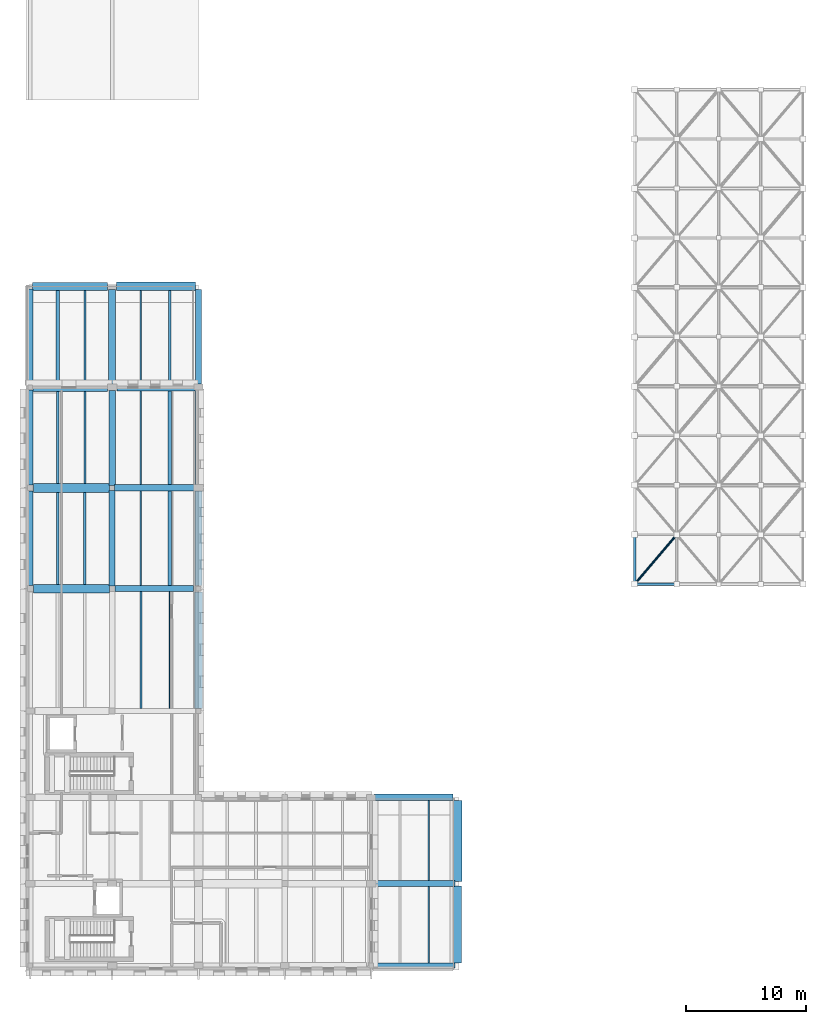
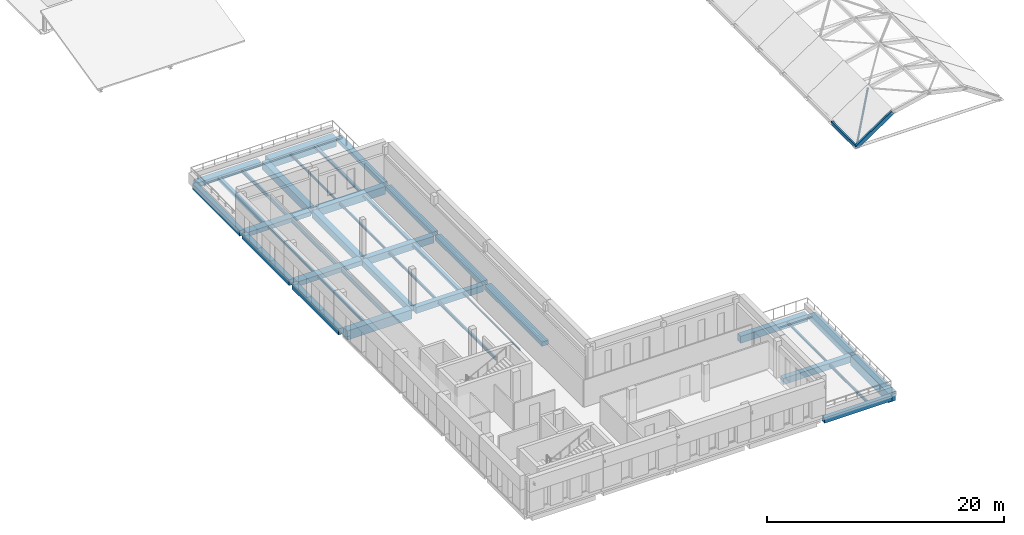
# One storey, part 5 of 15: 39 beams, 3 members.
"""IFC4 building model written with IfcOpenShell, lengths in metres."""

from ifc_helpers import new_model, si_unit, direction, frame, origin, origin_2d, place, context, subcontext, project, spatial, rectangle, hollow_rectangle, hollow_circle, i_section, extrude, material, material_profile, profile_set, type_object, element, save


model = new_model("IFC4")

# Units and contexts
model_context = context("Model", 3, precision=1e-05, world=origin(), true_north=direction((0.0, 1.0)))
body_context = subcontext(model_context, "Body", "Model", "MODEL_VIEW")
ifc_project = project(units=[si_unit("LENGTHUNIT", "METRE"), si_unit("AREAUNIT", "SQUARE_METRE"), si_unit("VOLUMEUNIT", "CUBIC_METRE"), si_unit("PLANEANGLEUNIT", "RADIAN"), si_unit("MASSUNIT", "GRAM", prefix="KILO")], contexts=[model_context])

# Site, building, storey
site_placement = place(None, origin())
site = spatial("IfcSite", under=ifc_project, at=site_placement, CompositionType="ELEMENT")
building_placement = place(site_placement, origin())
building = spatial("IfcBuilding", under=site, at=building_placement, Name="Vardoun Plaza Health Centre", CompositionType="ELEMENT")
storey_placement = place(building_placement, frame((0.0, 0.0, 17.10009765625)))
storey = spatial("IfcBuildingStorey", under=building, at=storey_placement, Name="L04", CompositionType="ELEMENT", Elevation=17.10009765625)

# Beams
ifc_material_1 = material(Name="Concrete C35/45", Category="concrete")
ifc_material_profile_1 = material_profile(ifc_material_1, rectangle(XDim=0.39990234375, YDim=0.550048828125, at=origin_2d()), Name="RC-BM 400x550")
ifc_profile_set_1 = profile_set([ifc_material_profile_1], Name="Concrete C35/45")
beam_type_1 = type_object("IfcBeamType", Name="B-09", PredefinedType="SPANDREL", material=ifc_profile_set_1)
beam_1_placement = place(storey_placement, frame((33.675048828125, 4.8798828125, -0.55517578125), z_axis=(1.0, 0.0, 0.0), x_axis=(0.0, 1.0, 0.0)))
element("IfcBeam", 1, at=beam_1_placement, inside=storey, type_object=beam_type_1, Name="V2 L04 Beam B-V2-L04-X23", PredefinedType="SPANDREL", context=body_context, shape_type="SweptSolid", body=[
    extrude(rectangle(XDim=0.39990234375, YDim=0.550048828125, at=origin_2d()), origin(), (0.0, 0.0, 1.0), 6.60009765625),
])
ifc_material_2 = material(Name="Concrete C35/45", Category="concrete")
ifc_material_profile_2 = material_profile(ifc_material_2, rectangle(XDim=0.419921875, YDim=0.580078125, at=origin_2d()), Name="RC-BM 420x580")
ifc_profile_set_2 = profile_set([ifc_material_profile_2], Name="Concrete C35/45")
beam_type_2 = type_object("IfcBeamType", Name="B-10", PredefinedType="SPANDREL", material=ifc_profile_set_2)
beam_2_placement = place(storey_placement, frame((4.8798828125, 53.324951171875, -0.570068359375), z_axis=(0.0, 1.0, 0.0), x_axis=(-1.0, 0.0, 0.0)))
element("IfcBeam", 2, at=beam_2_placement, inside=storey, type_object=beam_type_2, Name="V2 L04 Beam B-V2-L04-Y32", PredefinedType="SPANDREL", context=body_context, shape_type="SweptSolid", body=[
    extrude(rectangle(XDim=0.419921875, YDim=0.580078125, at=origin_2d()), origin(), (0.0, 0.0, 1.0), 7.97509765625),
])
ifc_material_3 = material(Name="Concrete C35/45", Category="concrete")
ifc_material_profile_3 = material_profile(ifc_material_3, rectangle(XDim=0.449951171875, YDim=0.60009765625, at=origin_2d()), Name="RC-BM 450x600")
ifc_profile_set_3 = profile_set([ifc_material_profile_3], Name="Concrete C35/45")
beam_type_3 = type_object("IfcBeamType", Name="B-11", PredefinedType="SPANDREL", material=ifc_profile_set_3)
beam_3_placement = place(storey_placement, frame((4.8798828125, 44.949951171875, -0.580078125), z_axis=(0.0, 1.0, 0.0), x_axis=(-1.0, 0.0, 0.0)))
element("IfcBeam", 3, at=beam_3_placement, inside=storey, type_object=beam_type_3, Name="V2 L04 Beam B-V2-L04-Y31", PredefinedType="SPANDREL", context=body_context, shape_type="SweptSolid", body=[
    extrude(rectangle(XDim=0.449951171875, YDim=0.60009765625, at=origin_2d()), origin(), (0.0, 0.0, 1.0), 7.925048828125),
])
ifc_material_4 = material(Name="Concrete C35/45", Category="concrete")
ifc_material_profile_4 = material_profile(ifc_material_4, rectangle(XDim=0.47998046875, YDim=0.6201171875, at=origin_2d()), Name="RC-BM 480x620")
ifc_profile_set_4 = profile_set([ifc_material_profile_4], Name="Concrete C35/45")
beam_type_4 = type_object("IfcBeamType", Name="B-12", PredefinedType="SPANDREL", material=ifc_profile_set_4)
beam_4_placement = place(storey_placement, frame((4.8798828125, 36.574951171875, -0.590087890625), z_axis=(0.0, 1.0, 0.0), x_axis=(-1.0, 0.0, 0.0)))
element("IfcBeam", 4, at=beam_4_placement, inside=storey, type_object=beam_type_4, Name="V2 L04 Beam B-V2-L04-Y30", PredefinedType="SPANDREL", context=body_context, shape_type="SweptSolid", body=[
    extrude(rectangle(XDim=0.47998046875, YDim=0.6201171875, at=origin_2d()), origin(), (0.0, 0.0, 1.0), 7.875),
])
ifc_material_5 = material(Name="Concrete C35/45", Category="concrete")
ifc_material_profile_5 = material_profile(ifc_material_5, rectangle(XDim=0.5, YDim=0.39990234375, at=origin_2d()), Name="RC-BM 500x400")
ifc_profile_set_5 = profile_set([ifc_material_profile_5], Name="Concrete C35/45")
beam_type_5 = type_object("IfcBeamType", Name="B-02", PredefinedType="BEAM", material=ifc_profile_set_5)
beam_5_placement = place(storey_placement, frame((18.89990234375, 53.375, -0.47998046875), z_axis=(0.0, 1.0, 0.0), x_axis=(-1.0, 0.0, 0.0)))
element("IfcBeam", 5, at=beam_5_placement, inside=storey, type_object=beam_type_5, Name="V2 L04 Beam B-V2-L04-Y44", PredefinedType="BEAM", context=body_context, shape_type="SweptSolid", body=[
    extrude(rectangle(XDim=0.5, YDim=0.39990234375, at=origin_2d()), origin(), (0.0, 0.0, 1.0), 7.875),
])
ifc_material_6 = material(Name="Concrete C40/50", Category="concrete")
ifc_material_profile_6 = material_profile(ifc_material_6, rectangle(XDim=0.5, YDim=0.64990234375, at=origin_2d()), Name="RC-BM 500x650")
ifc_profile_set_6 = profile_set([ifc_material_profile_6], Name="Concrete C40/50")
beam_type_6 = type_object("IfcBeamType", Name="B-13", PredefinedType="BEAM", material=ifc_profile_set_6)
beam_6_placement = place(storey_placement, frame((11.925048828125, 36.300048828125, -0.60498046875), z_axis=(1.0, 0.0, 0.0), x_axis=(0.0, 1.0, 0.0)))
element("IfcBeam", 6, at=beam_6_placement, inside=storey, type_object=beam_type_6, Name="V2 L04 Beam B-V2-L04-X13", PredefinedType="BEAM", context=body_context, shape_type="SweptSolid", body=[
    extrude(rectangle(XDim=0.5, YDim=0.64990234375, at=origin_2d()), origin(), (0.0, 0.0, 1.0), 6.574951171875),
])
beam_7_placement = place(storey_placement, frame((33.574951171875, 11.699951171875, -0.60498046875), z_axis=(1.0, 0.0, 0.0), x_axis=(0.0, 1.0, 0.0)))
element("IfcBeam", 7, at=beam_7_placement, inside=storey, type_object=beam_type_6, Name="V2 L04 Beam B-V2-L04-X24", PredefinedType="BEAM", context=body_context, shape_type="SweptSolid", body=[
    extrude(rectangle(XDim=0.5, YDim=0.64990234375, at=origin_2d()), origin(), (0.0, 0.0, 1.0), 6.72509765625),
])
beam_8_placement = place(storey_placement, frame((11.699951171875, 36.525146484375, -0.60498046875), z_axis=(0.0, 1.0, 0.0), x_axis=(-1.0, 0.0, 0.0)))
element("IfcBeam", 8, at=beam_8_placement, inside=storey, type_object=beam_type_6, Name="V2 L04 Beam B-V2-L04-Y35", PredefinedType="BEAM", context=body_context, shape_type="SweptSolid", body=[
    extrude(rectangle(XDim=0.5, YDim=0.64990234375, at=origin_2d()), origin(), (0.0, 0.0, 1.0), 7.974853515625),
])
ifc_material_7 = material(Name="Concrete C35/45", Category="concrete")
ifc_material_profile_7 = material_profile(ifc_material_7, rectangle(XDim=0.550048828125, YDim=0.419921875, at=origin_2d()), Name="RC-BM 550x420")
ifc_profile_set_7 = profile_set([ifc_material_profile_7], Name="Concrete C35/45")
beam_type_7 = type_object("IfcBeamType", Name="B-03", PredefinedType="BEAM", material=ifc_profile_set_7)
beam_9_placement = place(storey_placement, frame((18.89990234375, 44.949951171875, -0.489990234375), z_axis=(0.0, 1.0, 0.0), x_axis=(-1.0, 0.0, 0.0)))
element("IfcBeam", 9, at=beam_9_placement, inside=storey, type_object=beam_type_7, Name="V2 L04 Beam B-V2-L04-Y43", PredefinedType="BEAM", context=body_context, shape_type="SweptSolid", body=[
    extrude(rectangle(XDim=0.550048828125, YDim=0.419921875, at=origin_2d()), origin(), (0.0, 0.0, 1.0), 7.875),
])
ifc_material_8 = material(Name="Concrete C40/50", Category="concrete")
ifc_material_profile_8 = material_profile(ifc_material_8, rectangle(XDim=0.550048828125, YDim=0.719970703125, at=origin_2d()), Name="RC-BM 550x720")
ifc_profile_set_8 = profile_set([ifc_material_profile_8], Name="Concrete C40/50")
beam_type_8 = type_object("IfcBeamType", Name="B-14", PredefinedType="BEAM", material=ifc_profile_set_8)
beam_10_placement = place(storey_placement, frame((11.89990234375, 44.699951171875, -0.64013671875), z_axis=(1.0, 0.0, 0.0), x_axis=(0.0, 1.0, 0.0)))
element("IfcBeam", 10, at=beam_10_placement, inside=storey, type_object=beam_type_8, Name="V2 L04 Beam B-V2-L04-X14", PredefinedType="BEAM", context=body_context, shape_type="SweptSolid", body=[
    extrude(rectangle(XDim=0.550048828125, YDim=0.719970703125, at=origin_2d()), origin(), (0.0, 0.0, 1.0), 6.625),
])
beam_11_placement = place(storey_placement, frame((33.550048828125, 18.89990234375, -0.64013671875), z_axis=(1.0, 0.0, 0.0), x_axis=(0.0, 1.0, 0.0)))
element("IfcBeam", 11, at=beam_11_placement, inside=storey, type_object=beam_type_8, Name="V2 L04 Beam B-V2-L04-X25", PredefinedType="BEAM", context=body_context, shape_type="SweptSolid", body=[
    extrude(rectangle(XDim=0.550048828125, YDim=0.719970703125, at=origin_2d()), origin(), (0.0, 0.0, 1.0), 6.550048828125),
])
beam_12_placement = place(storey_placement, frame((11.699951171875, 44.900146484375, -0.64013671875), z_axis=(0.0, 1.0, 0.0), x_axis=(-1.0, 0.0, 0.0)))
element("IfcBeam", 12, at=beam_12_placement, inside=storey, type_object=beam_type_8, Name="V2 L04 Beam B-V2-L04-Y36", PredefinedType="BEAM", context=body_context, shape_type="SweptSolid", body=[
    extrude(rectangle(XDim=0.550048828125, YDim=0.719970703125, at=origin_2d()), origin(), (0.0, 0.0, 1.0), 7.9248046875),
])
ifc_material_9 = material(Name="Concrete C35/45", Category="concrete")
ifc_material_profile_9 = material_profile(ifc_material_9, rectangle(XDim=0.60009765625, YDim=0.449951171875, at=origin_2d()), Name="RC-BM 600x450")
ifc_profile_set_9 = profile_set([ifc_material_profile_9], Name="Concrete C35/45")
beam_type_9 = type_object("IfcBeamType", Name="B-04", PredefinedType="BEAM", material=ifc_profile_set_9)
beam_13_placement = place(storey_placement, frame((18.89990234375, 36.574951171875, -0.505126953125), z_axis=(0.0, 1.0, 0.0), x_axis=(-1.0, 0.0, 0.0)))
element("IfcBeam", 13, at=beam_13_placement, inside=storey, type_object=beam_type_9, Name="V2 L04 Beam B-V2-L04-Y42", PredefinedType="BEAM", context=body_context, shape_type="SweptSolid", body=[
    extrude(rectangle(XDim=0.60009765625, YDim=0.449951171875, at=origin_2d()), origin(), (0.0, 0.0, 1.0), 7.875),
])
ifc_material_10 = material(Name="Concrete C40/50", Category="concrete")
ifc_material_profile_10 = material_profile(ifc_material_10, rectangle(XDim=0.60009765625, YDim=0.800048828125, at=origin_2d()), Name="RC-BM 600x800")
ifc_profile_set_10 = profile_set([ifc_material_profile_10], Name="Concrete C40/50")
beam_type_10 = type_object("IfcBeamType", Name="B-15", PredefinedType="JOIST", material=ifc_profile_set_10)
beam_14_placement = place(storey_placement, frame((12.10009765625, 53.10009765625, -0.68017578125), z_axis=(1.0, 0.0, 0.0), x_axis=(0.0, 1.0, 0.0)))
element("IfcBeam", 14, at=beam_14_placement, inside=storey, type_object=beam_type_10, Name="V2 L04 Beam B-V2-L04-X15", PredefinedType="JOIST", context=body_context, shape_type="SweptSolid", body=[
    extrude(rectangle(XDim=0.60009765625, YDim=0.800048828125, at=origin_2d()), origin(), (0.0, 0.0, 1.0), 6.52490234375),
])
beam_15_placement = place(storey_placement, frame((11.699951171875, 53.375, -0.68017578125), z_axis=(0.0, 1.0, 0.0), x_axis=(-1.0, 0.0, 0.0)))
element("IfcBeam", 15, at=beam_15_placement, inside=storey, type_object=beam_type_10, Name="V2 L04 Beam B-V2-L04-Y37", PredefinedType="JOIST", context=body_context, shape_type="SweptSolid", body=[
    extrude(rectangle(XDim=0.60009765625, YDim=0.800048828125, at=origin_2d()), origin(), (0.0, 0.0, 1.0), 7.875),
])
ifc_material_11 = material(Name="Concrete C35/45", Category="concrete")
ifc_material_profile_11 = material_profile(ifc_material_11, rectangle(XDim=0.64990234375, YDim=0.449951171875, at=origin_2d()), Name="RC-BM 650x450")
ifc_profile_set_11 = profile_set([ifc_material_profile_11], Name="Concrete C35/45")
beam_type_11 = type_object("IfcBeamType", Name="B-05", PredefinedType="BEAM", material=ifc_profile_set_11)
beam_16_placement = place(storey_placement, frame((5.080078125, 61.5, -0.505126953125), z_axis=(1.0, 0.0, 0.0), x_axis=(0.0, 1.0, 0.0)))
element("IfcBeam", 16, at=beam_16_placement, inside=storey, type_object=beam_type_11, Name="V2 L04 Beam B-V2-L04-X08", PredefinedType="BEAM", context=body_context, shape_type="SweptSolid", body=[
    extrude(rectangle(XDim=0.64990234375, YDim=0.449951171875, at=origin_2d()), origin(), (0.0, 0.0, 1.0), 6.244873046875),
])
beam_17_placement = place(storey_placement, frame((18.89990234375, 26.300048828125, -0.505126953125), z_axis=(0.0, 1.0, 0.0), x_axis=(-1.0, 0.0, 0.0)))
element("IfcBeam", 17, at=beam_17_placement, inside=storey, type_object=beam_type_11, Name="V2 L04 Beam B-V2-L04-Y41", PredefinedType="BEAM", context=body_context, shape_type="SweptSolid", body=[
    extrude(rectangle(XDim=0.64990234375, YDim=0.449951171875, at=origin_2d()), origin(), (0.0, 0.0, 1.0), 9.72509765625),
])
ifc_material_12 = material(Name="Concrete C35/45", Category="concrete")
ifc_material_profile_12 = material_profile(ifc_material_12, rectangle(XDim=0.699951171875, YDim=0.449951171875, at=origin_2d()), Name="RC-BM 700x450")
ifc_profile_set_12 = profile_set([ifc_material_profile_12], Name="Concrete C35/45")
beam_type_12 = type_object("IfcBeamType", Name="B-06", PredefinedType="BEAM", material=ifc_profile_set_12)
beam_18_placement = place(storey_placement, frame((5.10498046875, 53.10009765625, -0.505126953125), z_axis=(1.0, 0.0, 0.0), x_axis=(0.0, 1.0, 0.0)))
element("IfcBeam", 18, at=beam_18_placement, inside=storey, type_object=beam_type_12, Name="V2 L04 Beam B-V2-L04-X07", PredefinedType="BEAM", context=body_context, shape_type="SweptSolid", body=[
    extrude(rectangle(XDim=0.699951171875, YDim=0.449951171875, at=origin_2d()), origin(), (0.0, 0.0, 1.0), 6.195068359375),
])
ifc_material_13 = material(Name="Concrete C40/50", Category="concrete")
ifc_material_profile_13 = material_profile(ifc_material_13, rectangle(XDim=0.699951171875, YDim=0.949951171875, at=origin_2d()), Name="RC-BM 700x950")
ifc_profile_set_13 = profile_set([ifc_material_profile_13], Name="Concrete C40/50")
beam_type_13 = type_object("IfcBeamType", Name="B-16", PredefinedType="LINTEL", material=ifc_profile_set_13)
beam_19_placement = place(storey_placement, frame((5.155029296875, 36.300048828125, -0.755126953125), z_axis=(1.0, 0.0, 0.0), x_axis=(0.0, 1.0, 0.0)))
element("IfcBeam", 19, at=beam_19_placement, inside=storey, type_object=beam_type_13, Name="V2 L04 Beam B-V2-L04-X05", PredefinedType="LINTEL", context=body_context, shape_type="SweptSolid", body=[
    extrude(rectangle(XDim=0.699951171875, YDim=0.949951171875, at=origin_2d()), origin(), (0.0, 0.0, 1.0), 6.320068359375),
])
beam_20_placement = place(storey_placement, frame((12.074951171875, 61.5, -0.755126953125), z_axis=(1.0, 0.0, 0.0), x_axis=(0.0, 1.0, 0.0)))
element("IfcBeam", 20, at=beam_20_placement, inside=storey, type_object=beam_type_13, Name="V2 L04 Beam B-V2-L04-X16", PredefinedType="LINTEL", context=body_context, shape_type="SweptSolid", body=[
    extrude(rectangle(XDim=0.699951171875, YDim=0.949951171875, at=origin_2d()), origin(), (0.0, 0.0, 1.0), 6.574951171875),
])
beam_21_placement = place(storey_placement, frame((40.5, 5.10498046875, -0.755126953125), z_axis=(0.0, 1.0, 0.0), x_axis=(-1.0, 0.0, 0.0)))
element("IfcBeam", 21, at=beam_21_placement, inside=storey, type_object=beam_type_13, Name="V2 L04 Beam B-V2-L04-Y49", PredefinedType="LINTEL", context=body_context, shape_type="SweptSolid", body=[
    extrude(rectangle(XDim=0.699951171875, YDim=0.949951171875, at=origin_2d()), origin(), (0.0, 0.0, 1.0), 6.39501953125),
])
ifc_material_14 = material(Name="Concrete C35/45", Category="concrete")
ifc_material_profile_14 = material_profile(ifc_material_14, rectangle(XDim=0.75, YDim=0.47998046875, at=origin_2d()), Name="RC-BM 750x480")
ifc_profile_set_14 = profile_set([ifc_material_profile_14], Name="Concrete C35/45")
beam_type_14 = type_object("IfcBeamType", Name="B-07", PredefinedType="BEAM", material=ifc_profile_set_14)
beam_22_placement = place(storey_placement, frame((5.1298828125, 44.699951171875, -0.52001953125), z_axis=(1.0, 0.0, 0.0), x_axis=(0.0, 1.0, 0.0)))
element("IfcBeam", 22, at=beam_22_placement, inside=storey, type_object=beam_type_14, Name="V2 L04 Beam B-V2-L04-X06", PredefinedType="BEAM", context=body_context, shape_type="SweptSolid", body=[
    extrude(rectangle(XDim=0.75, YDim=0.47998046875, at=origin_2d()), origin(), (0.0, 0.0, 1.0), 6.3701171875),
])
beam_23_placement = place(storey_placement, frame((40.5, 11.89990234375, -0.52001953125), z_axis=(0.0, 1.0, 0.0), x_axis=(-1.0, 0.0, 0.0)))
element("IfcBeam", 23, at=beam_23_placement, inside=storey, type_object=beam_type_14, Name="V2 L04 Beam B-V2-L04-Y50", PredefinedType="BEAM", context=body_context, shape_type="SweptSolid", body=[
    extrude(rectangle(XDim=0.75, YDim=0.47998046875, at=origin_2d()), origin(), (0.0, 0.0, 1.0), 6.72509765625),
])
ifc_material_15 = material(Name="Steel S355J2", Category="steel")
ifc_material_profile_15 = material_profile(ifc_material_15, i_section(OverallWidth=0.199951171875, OverallDepth=0.18994140625, WebThickness=0.006591796875, FlangeThickness=0.010009765625, FilletRadius=0.01806640625, at=origin_2d()), Name="HEA 200")
ifc_profile_set_15 = profile_set([ifc_material_profile_15], Name="Steel S355J2")
beam_type_15 = type_object("IfcBeamType", Name="SB-09", PredefinedType="BEAM", material=ifc_profile_set_15)
beam_24_placement = place(storey_placement, frame((7.153076171875, 45.074951171875, -0.375), z_axis=(0.0, 1.0, 0.0), x_axis=(-1.0, 0.0, 0.0)))
element("IfcBeam", 24, at=beam_24_placement, inside=storey, type_object=beam_type_15, Name="V2 L04 Secondary Floor Beam SJ-V2-L04-04", PredefinedType="BEAM", context=body_context, shape_type="SweptSolid", body=[
    extrude(i_section(OverallWidth=0.199951171875, OverallDepth=0.18994140625, WebThickness=0.006591796875, FlangeThickness=0.010009765625, FilletRadius=0.01806640625, at=origin_2d()), origin(), (0.0, 0.0, 1.0), 7.675048828125),
])
ifc_material_16 = material(Name="Steel S355J2", Category="steel")
ifc_material_profile_16 = material_profile(ifc_material_16, i_section(OverallWidth=0.219970703125, OverallDepth=0.2099609375, WebThickness=0.007080078125, FlangeThickness=0.010986328125, FilletRadius=0.01806640625, at=origin_2d()), Name="HEA 220")
ifc_profile_set_16 = profile_set([ifc_material_profile_16], Name="Steel S355J2")
beam_type_16 = type_object("IfcBeamType", Name="SB-08", PredefinedType="BEAM", material=ifc_profile_set_16)
beam_25_placement = place(storey_placement, frame((7.153076171875, 36.650146484375, -0.385009765625), z_axis=(0.0, 1.0, 0.0), x_axis=(-1.0, 0.0, 0.0)))
element("IfcBeam", 25, at=beam_25_placement, inside=storey, type_object=beam_type_16, Name="V2 L04 Secondary Floor Beam SJ-V2-L04-03", PredefinedType="BEAM", context=body_context, shape_type="SweptSolid", body=[
    extrude(i_section(OverallWidth=0.219970703125, OverallDepth=0.2099609375, WebThickness=0.007080078125, FlangeThickness=0.010986328125, FilletRadius=0.01806640625, at=origin_2d()), origin(), (0.0, 0.0, 1.0), 7.6748046875),
])
ifc_material_17 = material(Name="Steel S355J2", Category="steel")
ifc_material_profile_17 = material_profile(ifc_material_17, i_section(OverallWidth=0.239990234375, OverallDepth=0.22998046875, WebThickness=0.007568359375, FlangeThickness=0.011962890625, FilletRadius=0.02099609375, at=origin_2d()), Name="HEA 240")
ifc_profile_set_17 = profile_set([ifc_material_profile_17], Name="Steel S355J2")
beam_type_17 = type_object("IfcBeamType", Name="SB-07", PredefinedType="BEAM", material=ifc_profile_set_17)
beam_26_placement = place(storey_placement, frame((16.500244140625, 53.400146484375, -0.39501953125), z_axis=(0.0, 1.0, 0.0), x_axis=(-1.0, 0.0, 0.0)))
element("IfcBeam", 26, at=beam_26_placement, inside=storey, type_object=beam_type_17, Name="V2 L04 Secondary Floor Beam SJ-V2-L04-20", PredefinedType="BEAM", context=body_context, shape_type="SweptSolid", body=[
    extrude(i_section(OverallWidth=0.239990234375, OverallDepth=0.22998046875, WebThickness=0.007568359375, FlangeThickness=0.011962890625, FilletRadius=0.02099609375, at=origin_2d()), origin(), (0.0, 0.0, 1.0), 7.75),
])
ifc_material_18 = material(Name="Steel S355J2", Category="steel")
ifc_material_profile_18 = material_profile(ifc_material_18, i_section(OverallWidth=0.280029296875, OverallDepth=0.27001953125, WebThickness=0.008056640625, FlangeThickness=0.012939453125, FilletRadius=0.02392578125, at=origin_2d()), Name="HEA 280")
ifc_profile_set_18 = profile_set([ifc_material_profile_18], Name="Steel S355J2")
beam_type_18 = type_object("IfcBeamType", Name="SB-06", PredefinedType="BEAM", material=ifc_profile_set_18)
beam_27_placement = place(storey_placement, frame((16.500244140625, 44.97509765625, -0.4150390625), z_axis=(0.0, 1.0, 0.0), x_axis=(-1.0, 0.0, 0.0)))
element("IfcBeam", 27, at=beam_27_placement, inside=storey, type_object=beam_type_18, Name="V2 L04 Secondary Floor Beam SJ-V2-L04-19", PredefinedType="BEAM", context=body_context, shape_type="SweptSolid", body=[
    extrude(i_section(OverallWidth=0.280029296875, OverallDepth=0.27001953125, WebThickness=0.008056640625, FlangeThickness=0.012939453125, FilletRadius=0.02392578125, at=origin_2d()), origin(), (0.0, 0.0, 1.0), 7.824951171875),
])
ifc_material_19 = material(Name="Steel S355J2", Category="steel")
ifc_material_profile_19 = material_profile(ifc_material_19, i_section(OverallWidth=0.300048828125, OverallDepth=0.330078125, WebThickness=0.009521484375, FlangeThickness=0.0166015625, FilletRadius=0.027099609375, at=origin_2d()), Name="HEA 340")
ifc_profile_set_19 = profile_set([ifc_material_profile_19], Name="Steel S355J2")
beam_type_19 = type_object("IfcBeamType", Name="SB-04", PredefinedType="BEAM", material=ifc_profile_set_19)
beam_28_placement = place(storey_placement, frame((16.500244140625, 36.550048828125, -0.445068359375), z_axis=(0.0, 1.0, 0.0), x_axis=(-1.0, 0.0, 0.0)))
element("IfcBeam", 28, at=beam_28_placement, inside=storey, type_object=beam_type_19, Name="V2 L04 Secondary Floor Beam SJ-V2-L04-18", PredefinedType="BEAM", context=body_context, shape_type="SweptSolid", body=[
    extrude(i_section(OverallWidth=0.300048828125, OverallDepth=0.330078125, WebThickness=0.009521484375, FlangeThickness=0.0166015625, FilletRadius=0.027099609375, at=origin_2d()), origin(), (0.0, 0.0, 1.0), 7.875),
])
ifc_material_20 = material(Name="Steel S355J2", Category="steel")
ifc_material_profile_20 = material_profile(ifc_material_20, i_section(OverallWidth=0.300048828125, OverallDepth=0.360107421875, WebThickness=0.012451171875, FlangeThickness=0.0224609375, FilletRadius=0.027099609375, at=origin_2d()), Name="HEB 360")
ifc_profile_set_20 = profile_set([ifc_material_profile_20], Name="Steel S355J2")
beam_type_20 = type_object("IfcBeamType", Name="RB-04", PredefinedType="BEAM", material=ifc_profile_set_20)
beam_29_placement = place(storey_placement, frame((7.153076171875, 53.449951171875, -0.460205078125), z_axis=(0.0, 1.0, 0.0), x_axis=(-1.0, 0.0, 0.0)))
element("IfcBeam", 29, at=beam_29_placement, inside=storey, type_object=beam_type_20, Name="V2 L04 Secondary Floor Beam SJ-V2-L04-05", PredefinedType="BEAM", context=body_context, shape_type="SweptSolid", body=[
    extrude(i_section(OverallWidth=0.300048828125, OverallDepth=0.360107421875, WebThickness=0.012451171875, FlangeThickness=0.0224609375, FilletRadius=0.027099609375, at=origin_2d()), origin(), (0.0, 0.0, 1.0), 7.72509765625),
])
ifc_material_21 = material(Name="Steel S355J2", Category="steel")
ifc_material_profile_21 = material_profile(ifc_material_21, i_section(OverallWidth=0.091064453125, OverallDepth=0.179931640625, WebThickness=0.00537109375, FlangeThickness=0.008056640625, FilletRadius=0.009033203125, at=origin_2d()), Name="IPE 180")
ifc_profile_set_21 = profile_set([ifc_material_profile_21], Name="Steel S355J2")
beam_type_21 = type_object("IfcBeamType", Name="SB-20", PredefinedType="SPANDREL", material=ifc_profile_set_21)
beam_30_placement = place(storey_placement, frame((16.500244140625, 26.324951171875, -0.3701171875), z_axis=(0.0, 1.0, 0.0), x_axis=(-1.0, 0.0, 0.0)))
element("IfcBeam", 30, at=beam_30_placement, inside=storey, type_object=beam_type_21, Name="V2 L04 Secondary Floor Beam SJ-V2-L04-17", PredefinedType="SPANDREL", context=body_context, shape_type="SweptSolid", body=[
    extrude(i_section(OverallWidth=0.091064453125, OverallDepth=0.179931640625, WebThickness=0.00537109375, FlangeThickness=0.008056640625, FilletRadius=0.009033203125, at=origin_2d()), origin(), (0.0, 0.0, 1.0), 9.72509765625),
])
ifc_material_22 = material(Name="Steel S355J2", Category="steel")
ifc_material_profile_22 = material_profile(ifc_material_22, i_section(OverallWidth=0.110107421875, OverallDepth=0.219970703125, WebThickness=0.005859375, FlangeThickness=0.00927734375, FilletRadius=0.011962890625, at=origin_2d()), Name="IPE 220")
ifc_profile_set_22 = profile_set([ifc_material_profile_22], Name="Steel S355J2")
beam_type_22 = type_object("IfcBeamType", Name="SB-18", PredefinedType="JOIST", material=ifc_profile_set_22)
beam_31_placement = place(storey_placement, frame((14.099853515625, 53.400146484375, -0.39013671875), z_axis=(0.0, 1.0, 0.0), x_axis=(-1.0, 0.0, 0.0)))
element("IfcBeam", 31, at=beam_31_placement, inside=storey, type_object=beam_type_22, Name="V2 L04 Secondary Floor Beam SJ-V2-L04-15", PredefinedType="JOIST", context=body_context, shape_type="SweptSolid", body=[
    extrude(i_section(OverallWidth=0.110107421875, OverallDepth=0.219970703125, WebThickness=0.005859375, FlangeThickness=0.00927734375, FilletRadius=0.011962890625, at=origin_2d()), origin(), (0.0, 0.0, 1.0), 7.75),
])
ifc_material_23 = material(Name="Steel S355J2", Category="steel")
ifc_material_profile_23 = material_profile(ifc_material_23, i_section(OverallWidth=0.1201171875, OverallDepth=0.239990234375, WebThickness=0.006103515625, FlangeThickness=0.009765625, FilletRadius=0.014892578125, at=origin_2d()), Name="IPE 240")
ifc_profile_set_23 = profile_set([ifc_material_profile_23], Name="Steel S355J2")
beam_type_23 = type_object("IfcBeamType", Name="SB-17", PredefinedType="JOIST", material=ifc_profile_set_23)
beam_32_placement = place(storey_placement, frame((14.099853515625, 44.97509765625, -0.400146484375), z_axis=(0.0, 1.0, 0.0), x_axis=(-1.0, 0.0, 0.0)))
element("IfcBeam", 32, at=beam_32_placement, inside=storey, type_object=beam_type_23, Name="V2 L04 Secondary Floor Beam SJ-V2-L04-14", PredefinedType="JOIST", context=body_context, shape_type="SweptSolid", body=[
    extrude(i_section(OverallWidth=0.1201171875, OverallDepth=0.239990234375, WebThickness=0.006103515625, FlangeThickness=0.009765625, FilletRadius=0.014892578125, at=origin_2d()), origin(), (0.0, 0.0, 1.0), 7.824951171875),
])
beam_33_placement = place(storey_placement, frame((38.10009765625, 11.949951171875, -0.400146484375), z_axis=(0.0, 1.0, 0.0), x_axis=(-1.0, 0.0, 0.0)))
element("IfcBeam", 33, at=beam_33_placement, inside=storey, type_object=beam_type_23, Name="V2 L04 Secondary Floor Beam SJ-V2-L04-32", PredefinedType="JOIST", context=body_context, shape_type="SweptSolid", body=[
    extrude(i_section(OverallWidth=0.1201171875, OverallDepth=0.239990234375, WebThickness=0.006103515625, FlangeThickness=0.009765625, FilletRadius=0.014892578125, at=origin_2d()), origin(), (0.0, 0.0, 1.0), 6.675048828125),
])
ifc_material_24 = material(Name="Steel S355J2", Category="steel")
ifc_material_profile_24 = material_profile(ifc_material_24, i_section(OverallWidth=0.135009765625, OverallDepth=0.27001953125, WebThickness=0.006591796875, FlangeThickness=0.01025390625, FilletRadius=0.014892578125, at=origin_2d()), Name="IPE 270")
ifc_profile_set_24 = profile_set([ifc_material_profile_24], Name="Steel S355J2")
beam_type_24 = type_object("IfcBeamType", Name="SB-16", PredefinedType="JOIST", material=ifc_profile_set_24)
beam_34_placement = place(storey_placement, frame((14.099853515625, 36.550048828125, -0.4150390625), z_axis=(0.0, 1.0, 0.0), x_axis=(-1.0, 0.0, 0.0)))
element("IfcBeam", 34, at=beam_34_placement, inside=storey, type_object=beam_type_24, Name="V2 L04 Secondary Floor Beam SJ-V2-L04-13", PredefinedType="JOIST", context=body_context, shape_type="SweptSolid", body=[
    extrude(i_section(OverallWidth=0.135009765625, OverallDepth=0.27001953125, WebThickness=0.006591796875, FlangeThickness=0.01025390625, FilletRadius=0.014892578125, at=origin_2d()), origin(), (0.0, 0.0, 1.0), 7.875),
])
beam_35_placement = place(storey_placement, frame((38.10009765625, 5.080078125, -0.4150390625), z_axis=(0.0, 1.0, 0.0), x_axis=(-1.0, 0.0, 0.0)))
element("IfcBeam", 35, at=beam_35_placement, inside=storey, type_object=beam_type_24, Name="V2 L04 Secondary Floor Beam SJ-V2-L04-31", PredefinedType="JOIST", context=body_context, shape_type="SweptSolid", body=[
    extrude(i_section(OverallWidth=0.135009765625, OverallDepth=0.27001953125, WebThickness=0.006591796875, FlangeThickness=0.01025390625, FilletRadius=0.014892578125, at=origin_2d()), origin(), (0.0, 0.0, 1.0), 6.369873046875),
])
ifc_material_25 = material(Name="Steel S355J2", Category="steel")
ifc_material_profile_25 = material_profile(ifc_material_25, i_section(OverallWidth=0.14990234375, OverallDepth=0.300048828125, WebThickness=0.007080078125, FlangeThickness=0.0107421875, FilletRadius=0.014892578125, at=origin_2d()), Name="IPE 300")
ifc_profile_set_25 = profile_set([ifc_material_profile_25], Name="Steel S355J2")
beam_type_25 = type_object("IfcBeamType", Name="SB-15", PredefinedType="JOIST", material=ifc_profile_set_25)
beam_36_placement = place(storey_placement, frame((14.099853515625, 26.324951171875, -0.43017578125), z_axis=(0.0, 1.0, 0.0), x_axis=(-1.0, 0.0, 0.0)))
element("IfcBeam", 36, at=beam_36_placement, inside=storey, type_object=beam_type_25, Name="V2 L04 Secondary Floor Beam SJ-V2-L04-12", PredefinedType="JOIST", context=body_context, shape_type="SweptSolid", body=[
    extrude(i_section(OverallWidth=0.14990234375, OverallDepth=0.300048828125, WebThickness=0.007080078125, FlangeThickness=0.0107421875, FilletRadius=0.014892578125, at=origin_2d()), origin(), (0.0, 0.0, 1.0), 9.72509765625),
])
ifc_material_26 = material(Name="Steel S355J2", Category="steel")
ifc_material_profile_26 = material_profile(ifc_material_26, i_section(OverallWidth=0.169921875, OverallDepth=0.360107421875, WebThickness=0.008056640625, FlangeThickness=0.0126953125, FilletRadius=0.01806640625, at=origin_2d()), Name="IPE 360")
ifc_profile_set_26 = profile_set([ifc_material_profile_26], Name="Steel S355J2")
beam_type_26 = type_object("IfcBeamType", Name="SB-13", PredefinedType="JOIST", material=ifc_profile_set_26)
beam_37_placement = place(storey_placement, frame((9.427001953125, 53.449951171875, -0.460205078125), z_axis=(0.0, 1.0, 0.0), x_axis=(-1.0, 0.0, 0.0)))
element("IfcBeam", 37, at=beam_37_placement, inside=storey, type_object=beam_type_26, Name="V2 L04 Secondary Floor Beam SJ-V2-L04-10", PredefinedType="JOIST", context=body_context, shape_type="SweptSolid", body=[
    extrude(i_section(OverallWidth=0.169921875, OverallDepth=0.360107421875, WebThickness=0.008056640625, FlangeThickness=0.0126953125, FilletRadius=0.01806640625, at=origin_2d()), origin(), (0.0, 0.0, 1.0), 7.72509765625),
])
ifc_material_27 = material(Name="Steel S355J2", Category="steel")
ifc_material_profile_27 = material_profile(ifc_material_27, i_section(OverallWidth=0.179931640625, OverallDepth=0.39990234375, WebThickness=0.008544921875, FlangeThickness=0.013427734375, FilletRadius=0.02099609375, at=origin_2d()), Name="IPE 400")
ifc_profile_set_27 = profile_set([ifc_material_profile_27], Name="Steel S355J2")
beam_type_27 = type_object("IfcBeamType", Name="SB-12", PredefinedType="BEAM", material=ifc_profile_set_27)
beam_38_placement = place(storey_placement, frame((9.427001953125, 45.074951171875, -0.47998046875), z_axis=(0.0, 1.0, 0.0), x_axis=(-1.0, 0.0, 0.0)))
element("IfcBeam", 38, at=beam_38_placement, inside=storey, type_object=beam_type_27, Name="V2 L04 Secondary Floor Beam SJ-V2-L04-09", PredefinedType="BEAM", context=body_context, shape_type="SweptSolid", body=[
    extrude(i_section(OverallWidth=0.179931640625, OverallDepth=0.39990234375, WebThickness=0.008544921875, FlangeThickness=0.013427734375, FilletRadius=0.02099609375, at=origin_2d()), origin(), (0.0, 0.0, 1.0), 7.675048828125),
])
ifc_material_28 = material(Name="Steel S355J2", Category="steel")
ifc_material_profile_28 = material_profile(ifc_material_28, i_section(OverallWidth=0.18994140625, OverallDepth=0.449951171875, WebThickness=0.009521484375, FlangeThickness=0.0146484375, FilletRadius=0.02099609375, at=origin_2d()), Name="IPE 450")
ifc_profile_set_28 = profile_set([ifc_material_profile_28], Name="Steel S355J2")
beam_type_28 = type_object("IfcBeamType", Name="SB-11", PredefinedType="BEAM", material=ifc_profile_set_28)
beam_39_placement = place(storey_placement, frame((9.427001953125, 36.650146484375, -0.505126953125), z_axis=(0.0, 1.0, 0.0), x_axis=(-1.0, 0.0, 0.0)))
element("IfcBeam", 39, at=beam_39_placement, inside=storey, type_object=beam_type_28, Name="V2 L04 Secondary Floor Beam SJ-V2-L04-08", PredefinedType="BEAM", context=body_context, shape_type="SweptSolid", body=[
    extrude(i_section(OverallWidth=0.18994140625, OverallDepth=0.449951171875, WebThickness=0.009521484375, FlangeThickness=0.0146484375, FilletRadius=0.02099609375, at=origin_2d()), origin(), (0.0, 0.0, 1.0), 7.6748046875),
])

# Members
ifc_material_29 = material(Name="Glulam GL28h", Category="wood")
ifc_material_profile_29 = material_profile(ifc_material_29, rectangle(XDim=0.179931640625, YDim=0.360107421875, at=origin_2d()), Name="GL28h 180x360")
ifc_profile_set_29 = profile_set([ifc_material_profile_29], Name="Glulam GL28h")
member_type_1 = type_object("IfcMemberType", Name="GP-03", PredefinedType="PURLIN", material=ifc_profile_set_29)
member_1_placement = place(storey_placement, frame((55.27001953125, 36.679931640625, 0.75), z_axis=(0.0, 1.0, 0.0), x_axis=(-1.0, 0.0, 0.0)))
element("IfcMember", 40, at=member_1_placement, inside=storey, type_object=member_type_1, Name="Gridshell Glulam Purlin GP-03-01", PredefinedType="PURLIN", context=body_context, shape_type="SweptSolid", body=[
    extrude(rectangle(XDim=0.179931640625, YDim=0.360107421875, at=origin_2d()), origin(), (0.0, 0.0, 1.0), 4.1240234375),
])
ifc_material_30 = material(Name="Steel S355J2H", Category="steel")
ifc_material_profile_30 = material_profile(ifc_material_30, hollow_rectangle(XDim=0.199951171875, YDim=0.39990234375, WallThickness=0.012451171875, at=origin_2d()), Name="RHS 400x200x12.5")
ifc_profile_set_30 = profile_set([ifc_material_profile_30], Name="Steel S355J2H")
member_type_2 = type_object("IfcMemberType", Name="GS-A1", PredefinedType="CHORD", material=ifc_profile_set_30)
member_2_placement = place(storey_placement, frame((55.27001953125, 36.679931640625, 0.75), z_axis=(0.829249551826, 0.0, 0.558878502714), x_axis=(0.0, 1.0, 0.0)))
element("IfcMember", 41, at=member_2_placement, inside=storey, type_object=member_type_2, Name="Gridshell Arch Rib GA-01-03", PredefinedType="CHORD", context=body_context, shape_type="SweptSolid", body=[
    extrude(hollow_rectangle(XDim=0.199951171875, YDim=0.39990234375, WallThickness=0.012451171875, at=origin_2d()), origin(), (0.0, 0.0, 1.0), 4.226806640625),
])
ifc_material_31 = material(Name="Steel S355J2H", Category="steel")
ifc_material_profile_31 = material_profile(ifc_material_31, hollow_circle(Radius=0.096923828125, WallThickness=0.010009765625, at=origin_2d()), Name="CHS 193.7x10.0")
ifc_profile_set_31 = profile_set([ifc_material_profile_31], Name="Steel S355J2H")
member_type_3 = type_object("IfcMemberType", Name="GS-D3", PredefinedType="BRACE", material=ifc_profile_set_31)
member_3_placement = place(storey_placement, frame((55.27001953125, 36.679931640625, 0.75), z_axis=(0.593544208723, 0.698345669273, 0.400023247448), x_axis=(-0.761966028439, 0.647616994453, 0.0)))
element("IfcMember", 42, at=member_3_placement, inside=storey, type_object=member_type_3, Name="Gridshell Diagonal GD-01-03", PredefinedType="BRACE", context=body_context, shape_type="SweptSolid", body=[
    extrude(hollow_circle(Radius=0.096923828125, WallThickness=0.010009765625, at=origin_2d()), origin(), (0.0, 0.0, 1.0), 5.905517578125),
])

save(model, "model.ifc")
